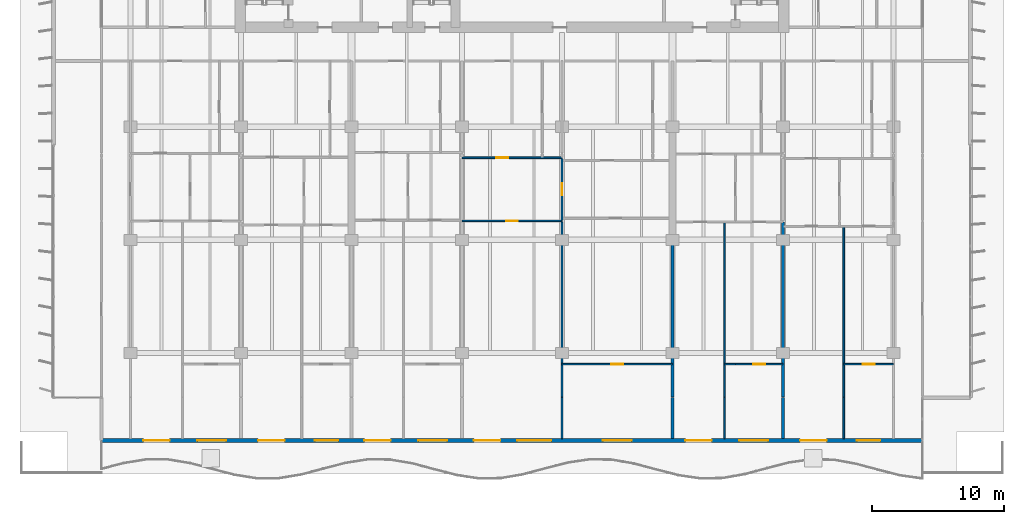
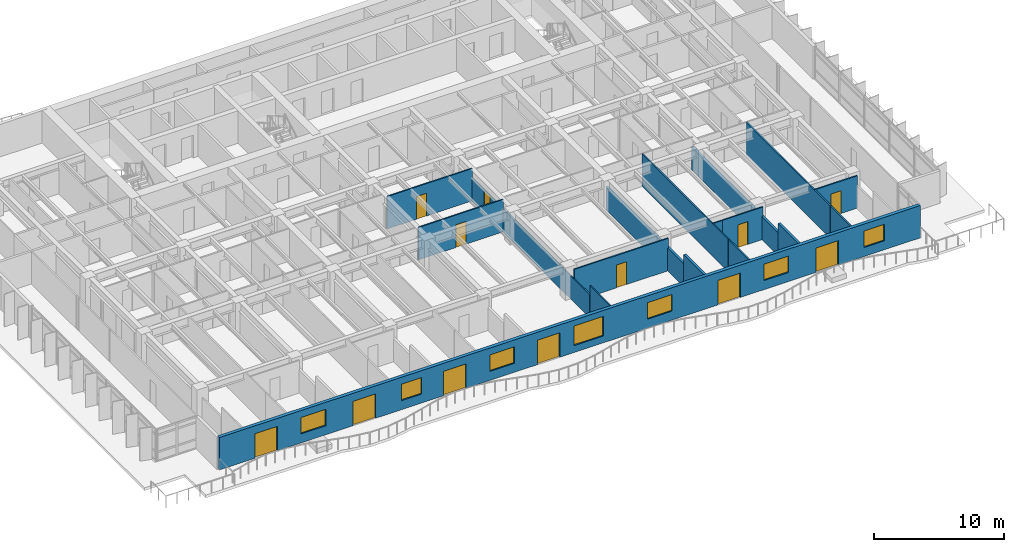
# One storey, part 8 of 17: 18 walls, 12 doors, 7 windows, 19 openings.
"""IFC4 building model written with IfcOpenShell, lengths in metres."""

import ifcopenshell
import ifcopenshell.guid

model = None  # the IFC model being written
_history = None  # IfcOwnerHistory: only IFC2X3 demands one
_inside = {}  # id of a spatial element -> (the spatial element, [elements in it])
_under = {}  # id of a project, library or spatial element -> (it, [spatial elements below it])
_declared = {}  # id of a project -> (the project, [libraries it declares])
_typed = {}  # id of a type object -> (the type object, [elements of that type])
_made_of = {}  # id of a material, layer set ... -> (it, [elements and type objects made of it])


def new_model(schema):
    """Start an empty IFC model of exactly this schema.

    Asked for "IFC4X3", IfcOpenShell would pick the latest addendum, in which some entities
    have other attributes; the version numbers below select the first issue.
    IFC2X3 requires an IfcOwnerHistory on every rooted entity: one is made here for all.
    """
    global model, _history
    if schema == "IFC4X3":
        model = ifcopenshell.file(schema_version=(4, 3, 0, 0))
    else:
        model = ifcopenshell.file(schema=schema)
    _inside.clear()
    _under.clear()
    _declared.clear()
    _typed.clear()
    _made_of.clear()
    _history = None
    if model.schema == "IFC2X3":
        org = make("IfcOrganization", Name="unknown")
        user = make(
            "IfcPersonAndOrganization",
            ThePerson=make("IfcPerson", FamilyName="unknown"),
            TheOrganization=org,
        )
        app = make(
            "IfcApplication",
            ApplicationDeveloper=org,
            Version="unknown",
            ApplicationFullName="unknown",
            ApplicationIdentifier="unknown",
        )
        _history = make(
            "IfcOwnerHistory",
            OwningUser=user,
            OwningApplication=app,
            ChangeAction="ADDED",
            CreationDate=0,
        )
    return model


def make(cls, **values):
    """One entity of the class cls with the attributes given. An attribute that is None is left unset."""
    return model.create_entity(
        cls, **{name: value for name, value in values.items() if value is not None}
    )


def rooted(cls, **values):
    """An entity with a GlobalId (a new one), such as an element, a storey or a relation."""
    return make(cls, GlobalId=ifcopenshell.guid.new(), OwnerHistory=_history, **values)


def si_unit(unit_type, name, prefix=None):
    """IfcSIUnit, for example si_unit("LENGTHUNIT", "METRE", prefix="MILLI")."""
    return make("IfcSIUnit", UnitType=unit_type, Prefix=prefix, Name=name)


def assignment(units):
    """IfcUnitAssignment: the units of a project."""
    return None if units is None else make("IfcUnitAssignment", Units=units)


def point(xyz):
    """IfcCartesianPoint."""
    return None if xyz is None else make("IfcCartesianPoint", Coordinates=xyz)


def direction(xyz):
    """IfcDirection."""
    return None if xyz is None else make("IfcDirection", DirectionRatios=xyz)


def frame(location, z_axis=None, x_axis=None):
    """IfcAxis2Placement3D, a coordinate frame: its origin and axes. An axis left out is left unset."""
    return make(
        "IfcAxis2Placement3D",
        Location=point(location),
        Axis=direction(z_axis),
        RefDirection=direction(x_axis),
    )


def frame_2d(location, x_axis=None):
    """IfcAxis2Placement2D, a coordinate frame in the plane: its origin and x axis."""
    return make(
        "IfcAxis2Placement2D", Location=point(location), RefDirection=direction(x_axis)
    )


def origin():
    """The frame at (0, 0, 0) with its axes left unset."""
    return frame((0.0, 0.0, 0.0))


def place(relative_to, where):
    """IfcLocalPlacement: puts the frame where relative to a parent placement (None: the world)."""
    return make(
        "IfcLocalPlacement", PlacementRelTo=relative_to, RelativePlacement=where
    )


def context(
    kind, dimensions, precision=None, world=None, true_north=None, identifier=None
):
    """IfcGeometricRepresentationContext, for example the 3D "Model" context."""
    return make(
        "IfcGeometricRepresentationContext",
        ContextIdentifier=identifier,
        ContextType=kind,
        CoordinateSpaceDimension=dimensions,
        Precision=precision,
        WorldCoordinateSystem=world,
        TrueNorth=true_north,
    )


def subcontext(parent, identifier, kind, view, scale=None):
    """IfcGeometricRepresentationSubContext, for example "Body" below "Model"."""
    return make(
        "IfcGeometricRepresentationSubContext",
        ContextIdentifier=identifier,
        ContextType=kind,
        ParentContext=parent,
        TargetScale=scale,
        TargetView=view,
    )


def project(units=None, contexts=None):
    """IfcProject with its units and contexts."""
    return rooted(
        "IfcProject",
        Name="project",
        RepresentationContexts=contexts,
        UnitsInContext=assignment(units),
    )


def spatial(cls, under=None, at=None, **own):
    """A site, building, storey or space (cls), placed at a placement, below another one or the project."""
    s = rooted(cls, ObjectPlacement=at, **own)
    if under is not None:
        _under.setdefault(under.id(), (under, []))[1].append(s)
    return s


def profile(cls, at=None, kind="AREA", **sizes):
    """A parametric profile (cls). Its sizes go by their IFC names, for example OverallWidth=200.0."""
    return make(cls, ProfileType=kind, Position=at, **sizes)


def rectangle(**sizes):
    """IfcRectangleProfileDef."""
    return profile("IfcRectangleProfileDef", **sizes)


def extrude(swept, where, along, depth):
    """IfcExtrudedAreaSolid: the profile swept, set in the frame where, extruded along a direction by depth."""
    return make(
        "IfcExtrudedAreaSolid",
        SweptArea=swept,
        Position=where,
        ExtrudedDirection=direction(along),
        Depth=depth,
    )


def shape(context_of_items, identifier, shape_type, items):
    """IfcShapeRepresentation: the items that make up one representation, for example the "Body"."""
    return make(
        "IfcShapeRepresentation",
        ContextOfItems=context_of_items,
        RepresentationIdentifier=identifier,
        RepresentationType=shape_type,
        Items=items,
    )


def material(Name=None, Category=None):
    """IfcMaterial."""
    return make("IfcMaterial", Name=Name, Category=Category)


def layer(
    of_material, thickness, ventilated=None, Name=None, Category=None, Priority=None
):
    """IfcMaterialLayer: one layer of a wall or slab, of a material (None: an air gap)."""
    return make(
        "IfcMaterialLayer",
        Material=of_material,
        LayerThickness=thickness,
        IsVentilated=ventilated,
        Name=Name,
        Category=Category,
        Priority=Priority,
    )


def layer_set(layers, Name=None):
    """IfcMaterialLayerSet."""
    return make("IfcMaterialLayerSet", MaterialLayers=layers, LayerSetName=Name)


def made_of(thing, what):
    """Note that an element or type object is made of a material, layer set ...; save() writes the relation."""
    if what is not None:
        _made_of.setdefault(what.id(), (what, []))[1].append(thing)
    return thing


def type_object(cls, material=None, **own):
    """A type object (cls), such as IfcWallType, which elements share."""
    return made_of(rooted(cls, **own), material)


def element(
    cls,
    number,
    at=None,
    inside=None,
    cuts=None,
    type_object=None,
    material=None,
    context=None,
    identifier="Body",
    shape_type=None,
    held_by="IfcProductDefinitionShape",
    body=None,
    shapes=None,
    **own,
):
    """One element of the class cls, such as IfcWall. Its Tag is "e" and its number.

    at: its placement. inside: the storey or other place that contains it. cuts: it is an
    opening in that element (IfcRelVoidsElement). A single representation is given by context,
    identifier, shape_type and body (its items); several are given by shapes. held_by: the class
    of the entity that holds the representations. save() writes the other relations.
    """
    e = rooted(cls, Tag="e%d" % number, ObjectPlacement=at, **own)
    if body is not None:
        shapes = [shape(context, identifier, shape_type, body)]
    if shapes is not None:
        e.Representation = make(held_by, Representations=shapes)
    if inside is not None:
        _inside.setdefault(inside.id(), (inside, []))[1].append(e)
    if cuts is not None:
        rooted(
            "IfcRelVoidsElement", RelatingBuildingElement=cuts, RelatedOpeningElement=e
        )
    if type_object is not None:
        _typed.setdefault(type_object.id(), (type_object, []))[1].append(e)
    return made_of(e, material)


def fill(opening, filler):
    """IfcRelFillsElement: the door or window that sits in an opening."""
    return rooted(
        "IfcRelFillsElement",
        RelatingOpeningElement=opening,
        RelatedBuildingElement=filler,
    )


def aggregate(whole, parts):
    """IfcRelAggregates: a whole, such as a stair, and the parts it consists of."""
    return rooted("IfcRelAggregates", RelatingObject=whole, RelatedObjects=parts)


def save(model, path):
    """Write the relations noted so far, then the file.

    IfcRelAggregates (storeys below a building ...), IfcRelContainedInSpatialStructure (elements
    in a storey), IfcRelDefinesByType, IfcRelAssociatesMaterial and IfcRelDeclares: one each for
    every whole, place, type object, material and project.
    """
    for whole, parts in _under.values():
        aggregate(whole, parts)
    for where, things in _inside.values():
        rooted(
            "IfcRelContainedInSpatialStructure",
            RelatedElements=things,
            RelatingStructure=where,
        )
    for kind, things in _typed.values():
        rooted("IfcRelDefinesByType", RelatedObjects=things, RelatingType=kind)
    for what, things in _made_of.values():
        rooted("IfcRelAssociatesMaterial", RelatedObjects=things, RelatingMaterial=what)
    for by, libraries in _declared.values():
        rooted("IfcRelDeclares", RelatingContext=by, RelatedDefinitions=libraries)
    model.write(path)


model = new_model("IFC4")

# Units and contexts
model_context = context("Model", 3, precision=1e-05, world=origin(), true_north=direction((0.0, 1.0)))
body_context = subcontext(model_context, "Body", "Model", "MODEL_VIEW")
ifc_project = project(units=[si_unit("LENGTHUNIT", "METRE"), si_unit("AREAUNIT", "SQUARE_METRE"), si_unit("VOLUMEUNIT", "CUBIC_METRE"), si_unit("PLANEANGLEUNIT", "RADIAN"), si_unit("MASSUNIT", "GRAM", prefix="KILO")], contexts=[model_context])

# Site, building, storey
site_placement = place(None, origin())
site = spatial("IfcSite", under=ifc_project, at=site_placement, CompositionType="ELEMENT")
building_placement = place(site_placement, origin())
building = spatial("IfcBuilding", under=site, at=building_placement, Name="Caelmar Bay Residences", CompositionType="ELEMENT")
storey_placement = place(building_placement, frame((0.0, 0.0, 84.60009765625)))
storey = spatial("IfcBuildingStorey", under=building, at=storey_placement, Name="L22", CompositionType="ELEMENT", Elevation=84.60009765625)

# Wall, openings, doors, windows
ifc_material_1 = material(Name="Precast concrete f'c 40 MPa (6,000 psi)", Category="concrete")
ifc_layer_1 = layer(ifc_material_1, 0.300048828125)
ifc_layer_set_1 = layer_set([ifc_layer_1], Name="Precast concrete f'c 40 MPa (6,000 psi)")
wall_type_1 = type_object("IfcWallType", Name="W-EXT-300", PredefinedType="STANDARD", material=ifc_layer_set_1)
wall_1_placement = place(storey_placement, frame((70.10009765625, 5.550048828125, 0.0), z_axis=(0.0, 0.0, 1.0), x_axis=(-1.0, 0.0, 0.0)))
wall_1 = element("IfcWall", 1, at=wall_1_placement, inside=storey, type_object=wall_type_1, Name="L22 South Bayfront Exterior Wall", PredefinedType="STANDARD", context=body_context, shape_type="SweptSolid", body=[
    extrude(rectangle(XDim=62.400146484375, YDim=0.300048828125, at=frame_2d((31.2001953125, 0.0))), origin(), (0.0, 0.0, 1.0), 3.0498046875),
])
opening_1_placement = place(wall_1_placement, frame((57.22607421875, 0.0, 0.0)))
opening_1 = element("IfcOpeningElement", 2, at=opening_1_placement, cuts=wall_1, Name="Opening L22-BD01", PredefinedType="OPENING", context=body_context, shape_type="SweptSolid", body=[
    extrude(rectangle(XDim=2.0, YDim=2.300048828125, at=frame_2d((1.0, 1.14990234375))), frame((0.0, 0.159912109375, 0.0), z_axis=(0.0, -1.0, 0.0), x_axis=(1.0, 0.0, 0.0)), (0.0, 0.0, 1.0), 0.320068359375),
])
opening_2_placement = place(wall_1_placement, frame((52.926025390625, 0.0, 0.85009765625)))
opening_2 = element("IfcOpeningElement", 3, at=opening_2_placement, cuts=wall_1, Name="Opening WN2", PredefinedType="OPENING", context=body_context, shape_type="SweptSolid", body=[
    extrude(rectangle(XDim=2.199951171875, YDim=1.550048828125, at=frame_2d((1.10009765625, 0.77490234375))), frame((0.0, 0.159912109375, 0.0), z_axis=(0.0, -1.0, 0.0), x_axis=(1.0, 0.0, 0.0)), (0.0, 0.0, 1.0), 0.320068359375),
])
opening_3_placement = place(wall_1_placement, frame((48.489990234375, 0.0, 0.0)))
opening_3 = element("IfcOpeningElement", 4, at=opening_3_placement, cuts=wall_1, Name="Opening L22-BD02", PredefinedType="OPENING", context=body_context, shape_type="SweptSolid", body=[
    extrude(rectangle(XDim=2.0, YDim=2.300048828125, at=frame_2d((1.0, 1.14990234375))), frame((0.0, 0.159912109375, 0.0), z_axis=(0.0, -1.0, 0.0), x_axis=(1.0, 0.0, 0.0)), (0.0, 0.0, 1.0), 0.320068359375),
])
opening_4_placement = place(wall_1_placement, frame((44.389892578125, 0.0, 0.85009765625)))
opening_4 = element("IfcOpeningElement", 5, at=opening_4_placement, cuts=wall_1, Name="Opening WN1", PredefinedType="OPENING", context=body_context, shape_type="SweptSolid", body=[
    extrude(rectangle(XDim=1.800048828125, YDim=1.550048828125, at=frame_2d((0.89990234375, 0.77490234375))), frame((0.0, 0.159912109375, 0.0), z_axis=(0.0, -1.0, 0.0), x_axis=(1.0, 0.0, 0.0)), (0.0, 0.0, 1.0), 0.320068359375),
])
opening_5_placement = place(wall_1_placement, frame((40.426025390625, 0.0, 0.0)))
opening_5 = element("IfcOpeningElement", 6, at=opening_5_placement, cuts=wall_1, Name="Opening L22-BD03", PredefinedType="OPENING", context=body_context, shape_type="SweptSolid", body=[
    extrude(rectangle(XDim=2.0, YDim=2.300048828125, at=frame_2d((1.0, 1.14990234375))), frame((0.0, 0.159912109375, 0.0), z_axis=(0.0, -1.0, 0.0), x_axis=(1.0, 0.0, 0.0)), (0.0, 0.0, 1.0), 0.320068359375),
])
opening_6_placement = place(wall_1_placement, frame((36.1259765625, 0.0, 0.85009765625)))
opening_6 = element("IfcOpeningElement", 7, at=opening_6_placement, cuts=wall_1, Name="Opening WN2", PredefinedType="OPENING", context=body_context, shape_type="SweptSolid", body=[
    extrude(rectangle(XDim=2.199951171875, YDim=1.550048828125, at=frame_2d((1.10009765625, 0.77490234375))), frame((0.0, 0.159912109375, 0.0), z_axis=(0.0, -1.0, 0.0), x_axis=(1.0, 0.0, 0.0)), (0.0, 0.0, 1.0), 0.320068359375),
])
opening_7_placement = place(wall_1_placement, frame((32.090087890625, 0.0, 0.0)))
opening_7 = element("IfcOpeningElement", 8, at=opening_7_placement, cuts=wall_1, Name="Opening L22-BD04", PredefinedType="OPENING", context=body_context, shape_type="SweptSolid", body=[
    extrude(rectangle(XDim=2.0, YDim=2.300048828125, at=frame_2d((1.0, 1.14990234375))), frame((0.0, 0.159912109375, 0.0), z_axis=(0.0, -1.0, 0.0), x_axis=(1.0, 0.0, 0.0)), (0.0, 0.0, 1.0), 0.320068359375),
])
opening_8_placement = place(wall_1_placement, frame((28.2099609375, 0.0, 0.64990234375)))
opening_8 = element("IfcOpeningElement", 9, at=opening_8_placement, cuts=wall_1, Name="Opening WN3", PredefinedType="OPENING", context=body_context, shape_type="SweptSolid", body=[
    extrude(rectangle(XDim=2.60009765625, YDim=1.85009765625, at=frame_2d((1.300048828125, 0.925048828125))), frame((0.0, 0.159912109375, 0.0), z_axis=(0.0, -1.0, 0.0), x_axis=(1.0, 0.0, 0.0)), (0.0, 0.0, 1.0), 0.320068359375),
])
opening_9_placement = place(wall_1_placement, frame((22.10009765625, 0.0, 0.85009765625)))
opening_9 = element("IfcOpeningElement", 10, at=opening_9_placement, cuts=wall_1, Name="Opening WN2", PredefinedType="OPENING", context=body_context, shape_type="SweptSolid", body=[
    extrude(rectangle(XDim=2.199951171875, YDim=1.550048828125, at=frame_2d((1.10009765625, 0.77490234375))), frame((0.0, 0.159912109375, 0.0), z_axis=(0.0, -1.0, 0.0), x_axis=(1.0, 0.0, 0.0)), (0.0, 0.0, 1.0), 0.320068359375),
])
opening_10_placement = place(wall_1_placement, frame((16.02587890625, 0.0, 0.0)))
opening_10 = element("IfcOpeningElement", 11, at=opening_10_placement, cuts=wall_1, Name="Opening L22-BD05", PredefinedType="OPENING", context=body_context, shape_type="SweptSolid", body=[
    extrude(rectangle(XDim=2.0, YDim=2.300048828125, at=frame_2d((1.0, 1.14990234375))), frame((0.0, 0.159912109375, 0.0), z_axis=(0.0, -1.0, 0.0), x_axis=(1.0, 0.0, 0.0)), (0.0, 0.0, 1.0), 0.320068359375),
])
opening_11_placement = place(wall_1_placement, frame((11.72607421875, 0.0, 0.85009765625)))
opening_11 = element("IfcOpeningElement", 12, at=opening_11_placement, cuts=wall_1, Name="Opening WN2", PredefinedType="OPENING", context=body_context, shape_type="SweptSolid", body=[
    extrude(rectangle(XDim=2.199951171875, YDim=1.550048828125, at=frame_2d((1.10009765625, 0.77490234375))), frame((0.0, 0.159912109375, 0.0), z_axis=(0.0, -1.0, 0.0), x_axis=(1.0, 0.0, 0.0)), (0.0, 0.0, 1.0), 0.320068359375),
])
opening_12_placement = place(wall_1_placement, frame((7.2900390625, 0.0, 0.0)))
opening_12 = element("IfcOpeningElement", 13, at=opening_12_placement, cuts=wall_1, Name="Opening L22-BD06", PredefinedType="OPENING", context=body_context, shape_type="SweptSolid", body=[
    extrude(rectangle(XDim=2.0, YDim=2.300048828125, at=frame_2d((1.0, 1.14990234375))), frame((0.0, 0.159912109375, 0.0), z_axis=(0.0, -1.0, 0.0), x_axis=(1.0, 0.0, 0.0)), (0.0, 0.0, 1.0), 0.320068359375),
])
opening_13_placement = place(wall_1_placement, frame((3.18994140625, 0.0, 0.85009765625)))
opening_13 = element("IfcOpeningElement", 14, at=opening_13_placement, cuts=wall_1, Name="Opening WN1", PredefinedType="OPENING", context=body_context, shape_type="SweptSolid", body=[
    extrude(rectangle(XDim=1.800048828125, YDim=1.550048828125, at=frame_2d((0.89990234375, 0.77490234375))), frame((0.0, 0.159912109375, 0.0), z_axis=(0.0, -1.0, 0.0), x_axis=(1.0, 0.0, 0.0)), (0.0, 0.0, 1.0), 0.320068359375),
])
ifc_material_2 = material(Name="Anodised bronze thermally broken sliding glass door", Category="glass")
ifc_layer_2 = layer(ifc_material_2, 0.050048828125)
ifc_layer_set_2 = layer_set([ifc_layer_2], Name="Anodised bronze thermally broken sliding glass door")
door_type_1 = type_object("IfcDoorType", Name="D-BAL-2000", OperationType="DOUBLE_DOOR_SLIDING", PredefinedType="DOOR", material=ifc_layer_set_2)
door_1_placement = place(opening_1_placement, origin())
door_1 = element("IfcDoor", 15, at=door_1_placement, inside=storey, type_object=door_type_1, Name="L22 Residence 01 Living Room Balcony Door", OperationType="DOUBLE_DOOR_SLIDING", OverallHeight=2.300048828125, OverallWidth=2.0, PredefinedType="DOOR", context=body_context, shape_type="SweptSolid", body=[
    extrude(rectangle(XDim=2.0, YDim=2.300048828125, at=frame_2d((1.0, 1.14990234375))), frame((0.0, 0.02490234375, 0.0), z_axis=(0.0, -1.0, 0.0), x_axis=(1.0, 0.0, 0.0)), (0.0, 0.0, 1.0), 0.050048828125),
])
fill(opening_1, door_1)
door_2_placement = place(opening_3_placement, origin())
door_2 = element("IfcDoor", 16, at=door_2_placement, inside=storey, type_object=door_type_1, Name="L22 Residence 02 Living Room Balcony Door", OperationType="DOUBLE_DOOR_SLIDING", OverallHeight=2.300048828125, OverallWidth=2.0, PredefinedType="DOOR", context=body_context, shape_type="SweptSolid", body=[
    extrude(rectangle(XDim=2.0, YDim=2.300048828125, at=frame_2d((1.0, 1.14990234375))), frame((0.0, 0.02490234375, 0.0), z_axis=(0.0, -1.0, 0.0), x_axis=(1.0, 0.0, 0.0)), (0.0, 0.0, 1.0), 0.050048828125),
])
fill(opening_3, door_2)
door_3_placement = place(opening_5_placement, origin())
door_3 = element("IfcDoor", 17, at=door_3_placement, inside=storey, type_object=door_type_1, Name="L22 Residence 03 Living Room Balcony Door", OperationType="DOUBLE_DOOR_SLIDING", OverallHeight=2.300048828125, OverallWidth=2.0, PredefinedType="DOOR", context=body_context, shape_type="SweptSolid", body=[
    extrude(rectangle(XDim=2.0, YDim=2.300048828125, at=frame_2d((1.0, 1.14990234375))), frame((0.0, 0.02490234375, 0.0), z_axis=(0.0, -1.0, 0.0), x_axis=(1.0, 0.0, 0.0)), (0.0, 0.0, 1.0), 0.050048828125),
])
fill(opening_5, door_3)
door_4_placement = place(opening_7_placement, origin())
door_4 = element("IfcDoor", 18, at=door_4_placement, inside=storey, type_object=door_type_1, Name="L22 Residence 04 Penthouse Living Salon Balcony Door", OperationType="DOUBLE_DOOR_SLIDING", OverallHeight=2.300048828125, OverallWidth=2.0, PredefinedType="DOOR", context=body_context, shape_type="SweptSolid", body=[
    extrude(rectangle(XDim=2.0, YDim=2.300048828125, at=frame_2d((1.0, 1.14990234375))), frame((0.0, 0.02490234375, 0.0), z_axis=(0.0, -1.0, 0.0), x_axis=(1.0, 0.0, 0.0)), (0.0, 0.0, 1.0), 0.050048828125),
])
fill(opening_7, door_4)
door_5_placement = place(opening_10_placement, origin())
door_5 = element("IfcDoor", 19, at=door_5_placement, inside=storey, type_object=door_type_1, Name="L22 Residence 05 Living Room Balcony Door", OperationType="DOUBLE_DOOR_SLIDING", OverallHeight=2.300048828125, OverallWidth=2.0, PredefinedType="DOOR", context=body_context, shape_type="SweptSolid", body=[
    extrude(rectangle(XDim=2.0, YDim=2.300048828125, at=frame_2d((1.0, 1.14990234375))), frame((0.0, 0.02490234375, 0.0), z_axis=(0.0, -1.0, 0.0), x_axis=(1.0, 0.0, 0.0)), (0.0, 0.0, 1.0), 0.050048828125),
])
fill(opening_10, door_5)
door_6_placement = place(opening_12_placement, origin())
door_6 = element("IfcDoor", 20, at=door_6_placement, inside=storey, type_object=door_type_1, Name="L22 Residence 06 Living Room Balcony Door", OperationType="DOUBLE_DOOR_SLIDING", OverallHeight=2.300048828125, OverallWidth=2.0, PredefinedType="DOOR", context=body_context, shape_type="SweptSolid", body=[
    extrude(rectangle(XDim=2.0, YDim=2.300048828125, at=frame_2d((1.0, 1.14990234375))), frame((0.0, 0.02490234375, 0.0), z_axis=(0.0, -1.0, 0.0), x_axis=(1.0, 0.0, 0.0)), (0.0, 0.0, 1.0), 0.050048828125),
])
fill(opening_12, door_6)
ifc_material_3 = material(Name="Bronze aluminium frame with laminated low-E glass", Category="aluminium")
ifc_layer_3 = layer(ifc_material_3, 0.06005859375)
ifc_layer_set_3 = layer_set([ifc_layer_3], Name="Bronze aluminium frame with laminated low-E glass")
window_type_1 = type_object("IfcWindowType", Name="WIN-BR-1800", PartitioningType="SINGLE_PANEL", PredefinedType="WINDOW", material=ifc_layer_set_3)
window_1_placement = place(opening_4_placement, origin())
window_1 = element("IfcWindow", 21, at=window_1_placement, inside=storey, type_object=window_type_1, Name="L22 Residence 02 Primary Bedroom Window", OverallHeight=1.550048828125, OverallWidth=1.800048828125, PartitioningType="SINGLE_PANEL", PredefinedType="WINDOW", context=body_context, shape_type="SweptSolid", body=[
    extrude(rectangle(XDim=1.800048828125, YDim=1.550048828125, at=frame_2d((0.89990234375, 0.77490234375))), frame((0.0, 0.030029296875, 0.0), z_axis=(0.0, -1.0, 0.0), x_axis=(1.0, 0.0, 0.0)), (0.0, 0.0, 1.0), 0.06005859375),
])
fill(opening_4, window_1)
window_2_placement = place(opening_13_placement, origin())
window_2 = element("IfcWindow", 22, at=window_2_placement, inside=storey, type_object=window_type_1, Name="L22 Residence 06 Primary Bedroom Window", OverallHeight=1.550048828125, OverallWidth=1.800048828125, PartitioningType="SINGLE_PANEL", PredefinedType="WINDOW", context=body_context, shape_type="SweptSolid", body=[
    extrude(rectangle(XDim=1.800048828125, YDim=1.550048828125, at=frame_2d((0.89990234375, 0.77490234375))), frame((0.0, 0.030029296875, 0.0), z_axis=(0.0, -1.0, 0.0), x_axis=(1.0, 0.0, 0.0)), (0.0, 0.0, 1.0), 0.06005859375),
])
fill(opening_13, window_2)
ifc_layer_4 = layer(ifc_material_3, 0.06005859375)
ifc_layer_set_4 = layer_set([ifc_layer_4], Name="Bronze aluminium frame with laminated low-E glass")
window_type_2 = type_object("IfcWindowType", Name="WIN-BR-2200", PartitioningType="SINGLE_PANEL", PredefinedType="WINDOW", material=ifc_layer_set_4)
window_3_placement = place(opening_2_placement, origin())
window_3 = element("IfcWindow", 23, at=window_3_placement, inside=storey, type_object=window_type_2, Name="L22 Residence 01 Primary Bedroom Window", OverallHeight=1.550048828125, OverallWidth=2.199951171875, PartitioningType="SINGLE_PANEL", PredefinedType="WINDOW", context=body_context, shape_type="SweptSolid", body=[
    extrude(rectangle(XDim=2.199951171875, YDim=1.550048828125, at=frame_2d((1.10009765625, 0.77490234375))), frame((0.0, 0.030029296875, 0.0), z_axis=(0.0, -1.0, 0.0), x_axis=(1.0, 0.0, 0.0)), (0.0, 0.0, 1.0), 0.06005859375),
])
fill(opening_2, window_3)
window_4_placement = place(opening_6_placement, origin())
window_4 = element("IfcWindow", 24, at=window_4_placement, inside=storey, type_object=window_type_2, Name="L22 Residence 03 Primary Bedroom Window", OverallHeight=1.550048828125, OverallWidth=2.199951171875, PartitioningType="SINGLE_PANEL", PredefinedType="WINDOW", context=body_context, shape_type="SweptSolid", body=[
    extrude(rectangle(XDim=2.199951171875, YDim=1.550048828125, at=frame_2d((1.10009765625, 0.77490234375))), frame((0.0, 0.030029296875, 0.0), z_axis=(0.0, -1.0, 0.0), x_axis=(1.0, 0.0, 0.0)), (0.0, 0.0, 1.0), 0.06005859375),
])
fill(opening_6, window_4)
window_5_placement = place(opening_9_placement, origin())
window_5 = element("IfcWindow", 25, at=window_5_placement, inside=storey, type_object=window_type_2, Name="L22 Residence 04 Primary Bedroom 1 Window", OverallHeight=1.550048828125, OverallWidth=2.199951171875, PartitioningType="SINGLE_PANEL", PredefinedType="WINDOW", context=body_context, shape_type="SweptSolid", body=[
    extrude(rectangle(XDim=2.199951171875, YDim=1.550048828125, at=frame_2d((1.10009765625, 0.77490234375))), frame((0.0, 0.030029296875, 0.0), z_axis=(0.0, -1.0, 0.0), x_axis=(1.0, 0.0, 0.0)), (0.0, 0.0, 1.0), 0.06005859375),
])
fill(opening_9, window_5)
window_6_placement = place(opening_11_placement, origin())
window_6 = element("IfcWindow", 26, at=window_6_placement, inside=storey, type_object=window_type_2, Name="L22 Residence 05 Primary Bedroom Window", OverallHeight=1.550048828125, OverallWidth=2.199951171875, PartitioningType="SINGLE_PANEL", PredefinedType="WINDOW", context=body_context, shape_type="SweptSolid", body=[
    extrude(rectangle(XDim=2.199951171875, YDim=1.550048828125, at=frame_2d((1.10009765625, 0.77490234375))), frame((0.0, 0.030029296875, 0.0), z_axis=(0.0, -1.0, 0.0), x_axis=(1.0, 0.0, 0.0)), (0.0, 0.0, 1.0), 0.06005859375),
])
fill(opening_11, window_6)
ifc_layer_5 = layer(ifc_material_3, 0.06005859375)
ifc_layer_set_5 = layer_set([ifc_layer_5], Name="Bronze aluminium frame with laminated low-E glass")
window_type_3 = type_object("IfcWindowType", Name="WIN-LIV-2600", PartitioningType="SINGLE_PANEL", PredefinedType="WINDOW", material=ifc_layer_set_5)
window_7_placement = place(opening_8_placement, origin())
window_7 = element("IfcWindow", 27, at=window_7_placement, inside=storey, type_object=window_type_3, Name="L22 Residence 04 Penthouse Living Salon Panoramic Window", OverallHeight=1.85009765625, OverallWidth=2.60009765625, PartitioningType="SINGLE_PANEL", PredefinedType="WINDOW", context=body_context, shape_type="SweptSolid", body=[
    extrude(rectangle(XDim=2.60009765625, YDim=1.85009765625, at=frame_2d((1.300048828125, 0.925048828125))), frame((0.0, 0.030029296875, 0.0), z_axis=(0.0, -1.0, 0.0), x_axis=(1.0, 0.0, 0.0)), (0.0, 0.0, 1.0), 0.06005859375),
])
fill(opening_8, window_7)

# Walls
ifc_material_4 = material(Name="Acoustic metal-stud gypsum partition 120 mm")
ifc_layer_6 = layer(ifc_material_4, 0.1201171875)
ifc_layer_set_6 = layer_set([ifc_layer_6], Name="Acoustic metal-stud gypsum partition 120 mm")
wall_type_2 = type_object("IfcWallType", Name="W-PRT-120", PredefinedType="PARTITIONING", material=ifc_layer_set_6)
wall_2_placement = place(storey_placement, frame((42.699951171875, 5.695068359375, 0.0), z_axis=(0.0, 0.0, 1.0), x_axis=(0.0, 1.0, 0.0)))
element("IfcWall", 28, at=wall_2_placement, inside=storey, type_object=wall_type_2, Name="L22 Partition Wall V055", PredefinedType="PARTITIONING", context=body_context, shape_type="SweptSolid", body=[
    extrude(rectangle(XDim=3.10498046875, YDim=0.1201171875, at=frame_2d((1.552490234375, 0.0))), origin(), (0.0, 0.0, 1.0), 3.0498046875),
])
wall_3_placement = place(storey_placement, frame((42.699951171875, 8.840087890625, 0.0), z_axis=(0.0, 0.0, 1.0), x_axis=(0.0, 1.0, 0.0)))
element("IfcWall", 29, at=wall_3_placement, inside=storey, type_object=wall_type_2, Name="L22 Partition Wall V056", PredefinedType="PARTITIONING", context=body_context, shape_type="SweptSolid", body=[
    extrude(rectangle(XDim=13.329833984375, YDim=0.1201171875, at=frame_2d((6.6650390625, 0.0))), origin(), (0.0, 0.0, 1.0), 2.173828125),
])

# Wall, opening, door
wall_4_placement = place(storey_placement, frame((42.699951171875, 22.2900390625, 0.0), z_axis=(0.0, 0.0, 1.0), x_axis=(0.0, 1.0, 0.0)))
wall_4 = element("IfcWall", 30, at=wall_4_placement, inside=storey, type_object=wall_type_2, Name="L22 Partition Wall V057", PredefinedType="PARTITIONING", context=body_context, shape_type="SweptSolid", body=[
    extrude(rectangle(XDim=4.68994140625, YDim=0.1201171875, at=frame_2d((2.344970703125, 0.0))), origin(), (0.0, 0.0, 1.0), 2.173828125),
])
opening_14_placement = place(wall_4_placement, frame((1.89990234375, 0.0, 0.0)))
opening_14 = element("IfcOpeningElement", 31, at=opening_14_placement, cuts=wall_4, Name="Opening D-L22-149", PredefinedType="OPENING", context=body_context, shape_type="SweptSolid", body=[
    extrude(rectangle(XDim=0.89990234375, YDim=2.1240234375, at=frame_2d((0.449951171875, 1.06201171875))), frame((0.0, 0.070068359375, 0.0), z_axis=(0.0, -1.0, 0.0), x_axis=(1.0, 0.0, 0.0)), (0.0, 0.0, 1.0), 0.14013671875),
])
ifc_material_5 = material(Name="Solid walnut timber interior door leaf and frame", Category="wood")
ifc_layer_7 = layer(ifc_material_5, 0.050048828125)
ifc_layer_set_7 = layer_set([ifc_layer_7], Name="Solid walnut timber interior door leaf and frame")
door_type_2 = type_object("IfcDoorType", Name="D-ROOM-900", OperationType="NOTDEFINED", PredefinedType="DOOR", material=ifc_layer_set_7)
door_7_placement = place(opening_14_placement, origin())
door_7 = element("IfcDoor", 32, at=door_7_placement, inside=storey, type_object=door_type_2, Name="L22 Residence 04 Family Room 1 Door", OperationType="SINGLE_SWING_RIGHT", OverallHeight=2.1240234375, OverallWidth=0.89990234375, PredefinedType="DOOR", context=body_context, shape_type="SweptSolid", body=[
    extrude(rectangle(XDim=0.89990234375, YDim=2.1240234375, at=frame_2d((0.449951171875, 1.06201171875))), frame((0.0, 0.02490234375, 0.0), z_axis=(0.0, -1.0, 0.0), x_axis=(1.0, 0.0, 0.0)), (0.0, 0.0, 1.0), 0.050048828125),
])
fill(opening_14, door_7)

# Walls
wall_5_placement = place(storey_placement, frame((55.048095703125, 5.695068359375, 0.0), z_axis=(0.0, 0.0, 1.0), x_axis=(0.0, 1.0, 0.0)))
element("IfcWall", 33, at=wall_5_placement, inside=storey, type_object=wall_type_2, Name="L22 Partition Wall V074", PredefinedType="PARTITIONING", context=body_context, shape_type="SweptSolid", body=[
    extrude(rectangle(XDim=3.10498046875, YDim=0.1201171875, at=frame_2d((1.552490234375, 0.0))), origin(), (0.0, 0.0, 1.0), 3.0498046875),
])
wall_6_placement = place(storey_placement, frame((55.048095703125, 8.840087890625, 0.0), z_axis=(0.0, 0.0, 1.0), x_axis=(0.0, 1.0, 0.0)))
element("IfcWall", 34, at=wall_6_placement, inside=storey, type_object=wall_type_2, Name="L22 Partition Wall V075", PredefinedType="PARTITIONING", context=body_context, shape_type="SweptSolid", body=[
    extrude(rectangle(XDim=13.329833984375, YDim=0.1201171875, at=frame_2d((6.6650390625, 0.0))), origin(), (0.0, 0.0, 1.0), 3.0498046875),
])
wall_7_placement = place(storey_placement, frame((64.1201171875, 5.695068359375, 0.0), z_axis=(0.0, 0.0, 1.0), x_axis=(0.0, 1.0, 0.0)))
element("IfcWall", 35, at=wall_7_placement, inside=storey, type_object=wall_type_2, Name="L22 Partition Wall V088", PredefinedType="PARTITIONING", context=body_context, shape_type="SweptSolid", body=[
    extrude(rectangle(XDim=3.10498046875, YDim=0.1201171875, at=frame_2d((1.552490234375, 0.0))), origin(), (0.0, 0.0, 1.0), 3.0498046875),
])
wall_8_placement = place(storey_placement, frame((64.1201171875, 8.840087890625, 0.0), z_axis=(0.0, 0.0, 1.0), x_axis=(0.0, 1.0, 0.0)))
element("IfcWall", 36, at=wall_8_placement, inside=storey, type_object=wall_type_2, Name="L22 Partition Wall V089", PredefinedType="PARTITIONING", context=body_context, shape_type="SweptSolid", body=[
    extrude(rectangle(XDim=12.989990234375, YDim=0.1201171875, at=frame_2d((6.4951171875, 0.0))), origin(), (0.0, 0.0, 1.0), 3.0498046875),
])

# Wall, opening, door
wall_9_placement = place(storey_placement, frame((42.699951171875, 11.35009765625, 0.0), z_axis=(0.0, 0.0, 1.0), x_axis=(1.0, 0.0, 0.0)))
wall_9 = element("IfcWall", 37, at=wall_9_placement, inside=storey, type_object=wall_type_2, Name="L22 Partition Wall H109", PredefinedType="PARTITIONING", context=body_context, shape_type="SweptSolid", body=[
    extrude(rectangle(XDim=8.400146484375, YDim=0.1201171875, at=frame_2d((4.2001953125, 0.0))), origin(), (0.0, 0.0, 1.0), 3.0498046875),
])
opening_15_placement = place(wall_9_placement, frame((3.75, 0.0, 0.0)))
opening_15 = element("IfcOpeningElement", 38, at=opening_15_placement, cuts=wall_9, Name="Opening D-L22-153", PredefinedType="OPENING", context=body_context, shape_type="SweptSolid", body=[
    extrude(rectangle(XDim=0.89990234375, YDim=2.14990234375, at=frame_2d((0.449951171875, 1.074951171875))), frame((0.0, 0.070068359375, 0.0), z_axis=(0.0, -1.0, 0.0), x_axis=(1.0, 0.0, 0.0)), (0.0, 0.0, 1.0), 0.14013671875),
])
door_8_placement = place(opening_15_placement, origin())
door_8 = element("IfcDoor", 39, at=door_8_placement, inside=storey, type_object=door_type_2, Name="L22 Residence 04 Primary Bedroom 1 Door", OperationType="SINGLE_SWING_RIGHT", OverallHeight=2.14990234375, OverallWidth=0.89990234375, PredefinedType="DOOR", context=body_context, shape_type="SweptSolid", body=[
    extrude(rectangle(XDim=0.89990234375, YDim=2.14990234375, at=frame_2d((0.449951171875, 1.074951171875))), frame((0.0, 0.02490234375, 0.0), z_axis=(0.0, -1.0, 0.0), x_axis=(1.0, 0.0, 0.0)), (0.0, 0.0, 1.0), 0.050048828125),
])
fill(opening_15, door_8)

# Wall
wall_10_placement = place(storey_placement, frame((55.048095703125, 11.35009765625, 0.0), z_axis=(0.0, 0.0, 1.0), x_axis=(1.0, 0.0, 0.0)))
element("IfcWall", 40, at=wall_10_placement, inside=storey, type_object=wall_type_2, Name="L22 Partition Wall H110", PredefinedType="PARTITIONING", context=body_context, shape_type="SweptSolid", body=[
    extrude(rectangle(XDim=0.837890625, YDim=0.1201171875, at=frame_2d((0.4189453125, 0.0))), origin(), (0.0, 0.0, 1.0), 3.0498046875),
])

# Wall, opening, door
wall_11_placement = place(storey_placement, frame((55.89990234375, 11.35009765625, 0.0), z_axis=(0.0, 0.0, 1.0), x_axis=(1.0, 0.0, 0.0)))
wall_11 = element("IfcWall", 41, at=wall_11_placement, inside=storey, type_object=wall_type_2, Name="L22 Partition Wall H111", PredefinedType="PARTITIONING", context=body_context, shape_type="SweptSolid", body=[
    extrude(rectangle(XDim=3.60009765625, YDim=0.1201171875, at=frame_2d((1.800048828125, 0.0))), origin(), (0.0, 0.0, 1.0), 3.0498046875),
])
opening_16_placement = place(wall_11_placement, frame((1.35009765625, 0.0, 0.0)))
opening_16 = element("IfcOpeningElement", 42, at=opening_16_placement, cuts=wall_11, Name="Opening D-L22-160", PredefinedType="OPENING", context=body_context, shape_type="SweptSolid", body=[
    extrude(rectangle(XDim=0.89990234375, YDim=2.14990234375, at=frame_2d((0.449951171875, 1.074951171875))), frame((0.0, 0.070068359375, 0.0), z_axis=(0.0, -1.0, 0.0), x_axis=(1.0, 0.0, 0.0)), (0.0, 0.0, 1.0), 0.14013671875),
])
door_9_placement = place(opening_16_placement, origin())
door_9 = element("IfcDoor", 43, at=door_9_placement, inside=storey, type_object=door_type_2, Name="L22 Residence 05 Primary Bedroom Door", OperationType="SINGLE_SWING_LEFT", OverallHeight=2.14990234375, OverallWidth=0.89990234375, PredefinedType="DOOR", context=body_context, shape_type="SweptSolid", body=[
    extrude(rectangle(XDim=0.89990234375, YDim=2.14990234375, at=frame_2d((0.449951171875, 1.074951171875))), frame((0.0, 0.02490234375, 0.0), z_axis=(0.0, -1.0, 0.0), x_axis=(1.0, 0.0, 0.0)), (0.0, 0.0, 1.0), 0.050048828125),
])
fill(opening_16, door_9)

wall_12_placement = place(storey_placement, frame((64.1201171875, 11.35009765625, 0.0), z_axis=(0.0, 0.0, 1.0), x_axis=(1.0, 0.0, 0.0)))
wall_12 = element("IfcWall", 44, at=wall_12_placement, inside=storey, type_object=wall_type_2, Name="L22 Partition Wall H112", PredefinedType="PARTITIONING", context=body_context, shape_type="SweptSolid", body=[
    extrude(rectangle(XDim=3.77978515625, YDim=0.1201171875, at=frame_2d((1.889892578125, 0.0))), origin(), (0.0, 0.0, 1.0), 3.0498046875),
])
opening_17_placement = place(wall_12_placement, frame((1.43994140625, 0.0, 0.0)))
opening_17 = element("IfcOpeningElement", 45, at=opening_17_placement, cuts=wall_12, Name="Opening D-L22-167", PredefinedType="OPENING", context=body_context, shape_type="SweptSolid", body=[
    extrude(rectangle(XDim=0.89990234375, YDim=2.14990234375, at=frame_2d((0.449951171875, 1.074951171875))), frame((0.0, 0.070068359375, 0.0), z_axis=(0.0, -1.0, 0.0), x_axis=(1.0, 0.0, 0.0)), (0.0, 0.0, 1.0), 0.14013671875),
])
door_10_placement = place(opening_17_placement, origin())
door_10 = element("IfcDoor", 46, at=door_10_placement, inside=storey, type_object=door_type_2, Name="L22 Residence 06 Primary Bedroom Door", OperationType="SINGLE_SWING_RIGHT", OverallHeight=2.14990234375, OverallWidth=0.89990234375, PredefinedType="DOOR", context=body_context, shape_type="SweptSolid", body=[
    extrude(rectangle(XDim=0.89990234375, YDim=2.14990234375, at=frame_2d((0.449951171875, 1.074951171875))), frame((0.0, 0.02490234375, 0.0), z_axis=(0.0, -1.0, 0.0), x_axis=(1.0, 0.0, 0.0)), (0.0, 0.0, 1.0), 0.050048828125),
])
fill(opening_17, door_10)

wall_13_placement = place(storey_placement, frame((35.10009765625, 22.239990234375, 0.0), z_axis=(0.0, 0.0, 1.0), x_axis=(1.0, 0.0, 0.0)))
wall_13 = element("IfcWall", 47, at=wall_13_placement, inside=storey, type_object=wall_type_2, Name="L22 Partition Wall H118", PredefinedType="PARTITIONING", context=body_context, shape_type="SweptSolid", body=[
    extrude(rectangle(XDim=7.599853515625, YDim=0.1201171875, at=frame_2d((3.7998046875, 0.0))), origin(), (0.0, 0.0, 1.0), 3.0498046875),
])
opening_18_placement = place(wall_13_placement, frame((3.35009765625, 0.0, 0.0)))
opening_18 = element("IfcOpeningElement", 48, at=opening_18_placement, cuts=wall_13, Name="Opening D-L22-148", PredefinedType="OPENING", context=body_context, shape_type="SweptSolid", body=[
    extrude(rectangle(XDim=0.89990234375, YDim=2.14990234375, at=frame_2d((0.449951171875, 1.074951171875))), frame((0.0, 0.070068359375, 0.0), z_axis=(0.0, -1.0, 0.0), x_axis=(1.0, 0.0, 0.0)), (0.0, 0.0, 1.0), 0.14013671875),
])
door_11_placement = place(opening_18_placement, origin())
door_11 = element("IfcDoor", 49, at=door_11_placement, inside=storey, type_object=door_type_2, Name="L22 Residence 04 Penthouse Living Salon Door", OperationType="SINGLE_SWING_LEFT", OverallHeight=2.14990234375, OverallWidth=0.89990234375, PredefinedType="DOOR", context=body_context, shape_type="SweptSolid", body=[
    extrude(rectangle(XDim=0.89990234375, YDim=2.14990234375, at=frame_2d((0.449951171875, 1.074951171875))), frame((0.0, 0.02490234375, 0.0), z_axis=(0.0, -1.0, 0.0), x_axis=(1.0, 0.0, 0.0)), (0.0, 0.0, 1.0), 0.050048828125),
])
fill(opening_18, door_11)

wall_14_placement = place(storey_placement, frame((35.10009765625, 27.0400390625, 0.0), z_axis=(0.0, 0.0, 1.0), x_axis=(1.0, 0.0, 0.0)))
wall_14 = element("IfcWall", 50, at=wall_14_placement, inside=storey, type_object=wall_type_2, Name="L22 Partition Wall H123", PredefinedType="PARTITIONING", context=body_context, shape_type="SweptSolid", body=[
    extrude(rectangle(XDim=7.594970703125, YDim=0.1201171875, at=frame_2d((3.79736328125, 0.0))), origin(), (0.0, 0.0, 1.0), 3.0498046875),
])
opening_19_placement = place(wall_14_placement, frame((2.60009765625, 0.0, 0.0)))
opening_19 = element("IfcOpeningElement", 51, at=opening_19_placement, cuts=wall_14, Name="Opening D-L22-147", PredefinedType="OPENING", context=body_context, shape_type="SweptSolid", body=[
    extrude(rectangle(XDim=0.89990234375, YDim=2.14990234375, at=frame_2d((0.449951171875, 1.074951171875))), frame((0.0, 0.070068359375, 0.0), z_axis=(0.0, -1.0, 0.0), x_axis=(1.0, 0.0, 0.0)), (0.0, 0.0, 1.0), 0.14013671875),
])
door_12_placement = place(opening_19_placement, origin())
door_12 = element("IfcDoor", 52, at=door_12_placement, inside=storey, type_object=door_type_2, Name="L22 Residence 04 Kitchen Door", OperationType="SINGLE_SWING_RIGHT", OverallHeight=2.14990234375, OverallWidth=0.89990234375, PredefinedType="DOOR", context=body_context, shape_type="SweptSolid", body=[
    extrude(rectangle(XDim=0.89990234375, YDim=2.14990234375, at=frame_2d((0.449951171875, 1.074951171875))), frame((0.0, 0.02490234375, 0.0), z_axis=(0.0, -1.0, 0.0), x_axis=(1.0, 0.0, 0.0)), (0.0, 0.0, 1.0), 0.050048828125),
])
fill(opening_19, door_12)

# Walls
ifc_material_6 = material(Name="Acoustic twin-stud fire-rated inter-tenancy partition 200 mm")
ifc_layer_8 = layer(ifc_material_6, 0.199951171875)
ifc_layer_set_8 = layer_set([ifc_layer_8], Name="Acoustic twin-stud fire-rated inter-tenancy partition 200 mm")
wall_type_3 = type_object("IfcWallType", Name="W-PTY-200", PredefinedType="PARTITIONING", material=ifc_layer_set_8)
wall_15_placement = place(storey_placement, frame((51.10009765625, 5.695068359375, 0.0), z_axis=(0.0, 0.0, 1.0), x_axis=(0.0, 1.0, 0.0)))
element("IfcWall", 53, at=wall_15_placement, inside=storey, type_object=wall_type_3, Name="L22 Partition Wall V069", PredefinedType="PARTITIONING", context=body_context, shape_type="SweptSolid", body=[
    extrude(rectangle(XDim=3.10498046875, YDim=0.199951171875, at=frame_2d((1.552490234375, 0.0))), origin(), (0.0, 0.0, 1.0), 3.0498046875),
])
wall_16_placement = place(storey_placement, frame((51.10009765625, 8.840087890625, 0.0), z_axis=(0.0, 0.0, 1.0), x_axis=(0.0, 1.0, 0.0)))
element("IfcWall", 54, at=wall_16_placement, inside=storey, type_object=wall_type_3, Name="L22 Partition Wall V070", PredefinedType="PARTITIONING", context=body_context, shape_type="SweptSolid", body=[
    extrude(rectangle(XDim=11.954833984375, YDim=0.199951171875, at=frame_2d((5.9775390625, 0.0))), origin(), (0.0, 0.0, 1.0), 2.173828125),
])
wall_17_placement = place(storey_placement, frame((59.5, 5.695068359375, 0.0), z_axis=(0.0, 0.0, 1.0), x_axis=(0.0, 1.0, 0.0)))
element("IfcWall", 55, at=wall_17_placement, inside=storey, type_object=wall_type_3, Name="L22 Partition Wall V080", PredefinedType="PARTITIONING", context=body_context, shape_type="SweptSolid", body=[
    extrude(rectangle(XDim=3.10498046875, YDim=0.199951171875, at=frame_2d((1.552490234375, 0.0))), origin(), (0.0, 0.0, 1.0), 3.0498046875),
])
wall_18_placement = place(storey_placement, frame((59.5, 8.840087890625, 0.0), z_axis=(0.0, 0.0, 1.0), x_axis=(0.0, 1.0, 0.0)))
element("IfcWall", 56, at=wall_18_placement, inside=storey, type_object=wall_type_3, Name="L22 Partition Wall V081", PredefinedType="PARTITIONING", context=body_context, shape_type="SweptSolid", body=[
    extrude(rectangle(XDim=13.329833984375, YDim=0.199951171875, at=frame_2d((6.6650390625, 0.0))), origin(), (0.0, 0.0, 1.0), 2.173828125),
])

save(model, "model.ifc")
